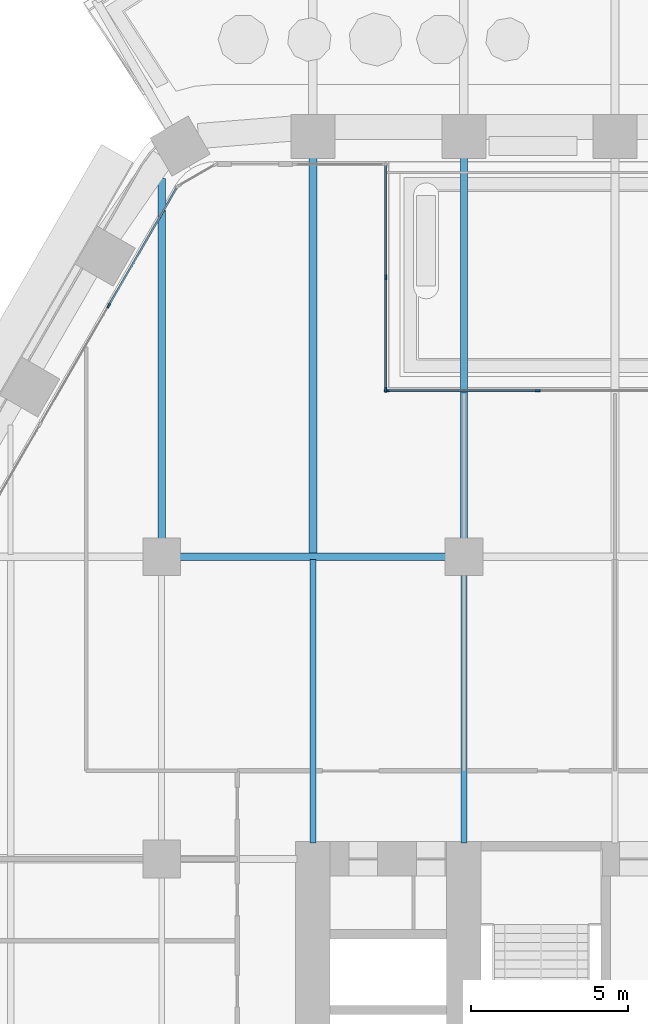
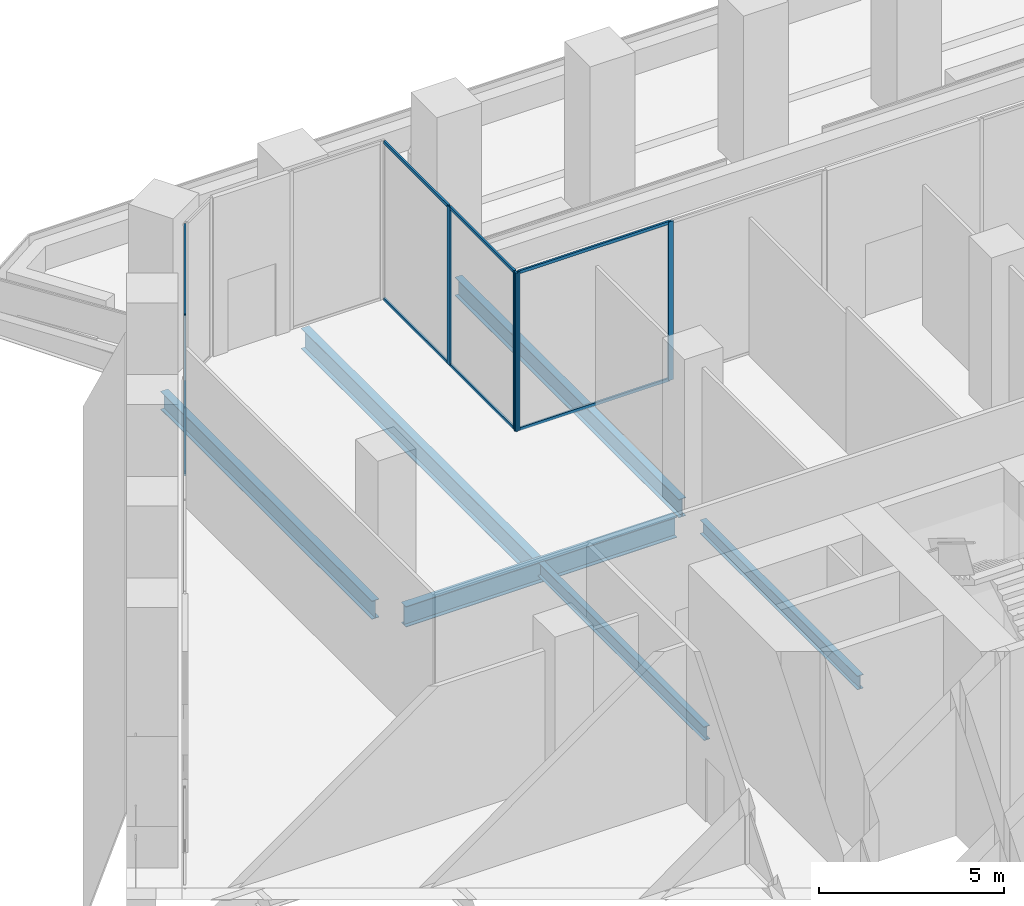
# One storey, part 8 of 30: 13 members, 6 beams, 3 elements without a shape of their own.
"""IFC4 building model written with IfcOpenShell, lengths in metres."""

from ifc_helpers import new_model, si_unit, direction, frame, origin, origin_2d, place, context, subcontext, project, spatial, rectangle, i_section, extrude, material, material_profile, profile_set, type_object, element, aggregate, save


model = new_model("IFC4")

# Units and contexts
model_context = context("Model", 3, precision=1e-05, world=origin(), true_north=direction((0.0, 1.0)))
body_context = subcontext(model_context, "Body", "Model", "MODEL_VIEW")
ifc_project = project(units=[si_unit("LENGTHUNIT", "METRE"), si_unit("AREAUNIT", "SQUARE_METRE"), si_unit("VOLUMEUNIT", "CUBIC_METRE"), si_unit("PLANEANGLEUNIT", "RADIAN"), si_unit("MASSUNIT", "GRAM", prefix="KILO")], contexts=[model_context])

# Site, building, storey
site_placement = place(None, origin())
site = spatial("IfcSite", under=ifc_project, at=site_placement, CompositionType="ELEMENT")
building_placement = place(site_placement, origin())
building = spatial("IfcBuilding", under=site, at=building_placement, Name="Kolab Exchange Tower", CompositionType="ELEMENT")
storey_placement = place(building_placement, frame((0.0, 0.0, 38.89990234375)))
storey = spatial("IfcBuildingStorey", under=building, at=storey_placement, Name="L07", CompositionType="ELEMENT", Elevation=38.89990234375)

# Beams
ifc_material_1 = material(Name="Steel S355", Category="steel")
ifc_material_profile_1 = material_profile(ifc_material_1, i_section(OverallWidth=0.18994140625, OverallDepth=0.45703125, WebThickness=0.009033203125, FlangeThickness=0.014404296875, at=origin_2d()), Name="W460X74")
ifc_profile_set_1 = profile_set([ifc_material_profile_1], Name="Steel S355")
beam_type_1 = type_object("IfcBeamType", Name="FLOOR BEAM W460X74", PredefinedType="BEAM", material=ifc_profile_set_1)
beam_1_placement = place(storey_placement, frame((-14.39990234375, 10.110107421875, -0.478515625), z_axis=(0.0, 1.0, 0.0), x_axis=(-1.0, 0.0, 0.0)))
element("IfcBeam", 1, at=beam_1_placement, inside=storey, type_object=beam_type_1, Name="beam/L07/fr/020", PredefinedType="BEAM", context=body_context, shape_type="SweptSolid", body=[
    extrude(i_section(OverallWidth=0.18994140625, OverallDepth=0.45703125, WebThickness=0.009033203125, FlangeThickness=0.014404296875, at=origin_2d()), origin(), (0.0, 0.0, 1.0), 9.0029296875),
])
beam_2_placement = place(storey_placement, frame((-9.60009765625, 10.110107421875, -0.478515625), z_axis=(0.0, 1.0, 0.0), x_axis=(-1.0, 0.0, 0.0)))
element("IfcBeam", 2, at=beam_2_placement, inside=storey, type_object=beam_type_1, Name="beam/L07/fr/024", PredefinedType="BEAM", context=body_context, shape_type="SweptSolid", body=[
    extrude(i_section(OverallWidth=0.18994140625, OverallDepth=0.45703125, WebThickness=0.009033203125, FlangeThickness=0.014404296875, at=origin_2d()), origin(), (0.0, 0.0, 1.0), 8.52978515625),
])
ifc_material_profile_2 = material_profile(ifc_material_1, i_section(OverallWidth=0.22802734375, OverallDepth=0.60791015625, WebThickness=0.01123046875, FlangeThickness=0.017333984375, at=origin_2d()), Name="W610X113")
ifc_profile_set_2 = profile_set([ifc_material_profile_2], Name="Steel S355")
beam_type_2 = type_object("IfcBeamType", Name="FLOOR BEAM W610X113", PredefinedType="BEAM", material=ifc_profile_set_2)
beam_3_placement = place(storey_placement, frame((-19.199951171875, 19.760009765625, -0.553955078125), z_axis=(0.0, 1.0, 0.0), x_axis=(-1.0, 0.0, 0.0)))
element("IfcBeam", 3, at=beam_3_placement, inside=storey, type_object=beam_type_2, Name="beam/L07/fr/017", PredefinedType="BEAM", context=body_context, shape_type="SweptSolid", body=[
    extrude(i_section(OverallWidth=0.22802734375, OverallDepth=0.60791015625, WebThickness=0.01123046875, FlangeThickness=0.017333984375, at=origin_2d()), origin(), (0.0, 0.0, 1.0), 11.45458984375),
])
beam_4_placement = place(storey_placement, frame((-9.60009765625, 19.760009765625, -0.553955078125), z_axis=(0.0, 1.0, 0.0), x_axis=(-1.0, 0.0, 0.0)))
element("IfcBeam", 4, at=beam_4_placement, inside=storey, type_object=beam_type_2, Name="beam/L07/fr/025", PredefinedType="BEAM", context=body_context, shape_type="SweptSolid", body=[
    extrude(i_section(OverallWidth=0.22802734375, OverallDepth=0.60791015625, WebThickness=0.01123046875, FlangeThickness=0.017333984375, at=origin_2d()), origin(), (0.0, 0.0, 1.0), 12.135498046875),
])
ifc_material_profile_3 = material_profile(ifc_material_1, i_section(OverallWidth=0.25390625, OverallDepth=0.68408203125, WebThickness=0.012451171875, FlangeThickness=0.018798828125, at=origin_2d()), Name="W690X140")
ifc_profile_set_3 = profile_set([ifc_material_profile_3], Name="Steel S355")
beam_type_3 = type_object("IfcBeamType", Name="FLOOR BEAM W690X140", PredefinedType="BEAM", material=ifc_profile_set_3)
beam_5_placement = place(storey_placement, frame((-14.39990234375, 19.287109375, -0.591796875), z_axis=(0.0, 1.0, 0.0), x_axis=(-1.0, 0.0, 0.0)))
element("IfcBeam", 5, at=beam_5_placement, inside=storey, type_object=beam_type_3, Name="beam/L07/fr/021", PredefinedType="BEAM", context=body_context, shape_type="SweptSolid", body=[
    extrude(i_section(OverallWidth=0.25390625, OverallDepth=0.68408203125, WebThickness=0.012451171875, FlangeThickness=0.018798828125, at=origin_2d()), origin(), (0.0, 0.0, 1.0), 12.6083984375),
])
ifc_material_profile_4 = material_profile(ifc_material_1, i_section(OverallWidth=0.25390625, OverallDepth=0.68408203125, WebThickness=0.012451171875, FlangeThickness=0.018798828125, at=origin_2d()), Name="W690X140")
ifc_profile_set_4 = profile_set([ifc_material_profile_4], Name="Steel S355")
beam_type_4 = type_object("IfcBeamType", Name="FLOOR GIRDER W690X140", PredefinedType="BEAM", material=ifc_profile_set_4)
beam_6_placement = place(storey_placement, frame((-18.639892578125, 19.199951171875, -0.591796875), z_axis=(1.0, 0.0, 0.0), x_axis=(0.0, 1.0, 0.0)))
element("IfcBeam", 6, at=beam_6_placement, inside=storey, type_object=beam_type_4, Name="beam/L07/gd/009", PredefinedType="BEAM", context=body_context, shape_type="SweptSolid", body=[
    extrude(i_section(OverallWidth=0.25390625, OverallDepth=0.68408203125, WebThickness=0.012451171875, FlangeThickness=0.018798828125, at=origin_2d()), origin(), (0.0, 0.0, 1.0), 8.47998046875),
])

# Curtain wall, members
ifc_material_2 = material(Name="Aluminium EN AW-6063 T6", Category="aluminium")
curtain_wall_type = type_object("IfcCurtainWallType", Name="UNITISED LOW ZONE CURTAIN WALL", PredefinedType="NOTDEFINED", material=ifc_material_2)
curtain_wall_1_placement = place(storey_placement, origin())
curtain_wall_1 = element("IfcCurtainWall", 7, at=curtain_wall_1_placement, inside=storey, type_object=curtain_wall_type, Name="cw/L07/F1-rl-1", PredefinedType="NOTDEFINED")
ifc_material_profile_5 = material_profile(ifc_material_2, rectangle(XDim=0.06005859375, YDim=0.159912109375, at=origin_2d()), Name="RECT 60X160")
ifc_profile_set_5 = profile_set([ifc_material_profile_5], Name="Aluminium EN AW-6063 T6")
member_type_1 = type_object("IfcMemberType", Name="UNITISED LOW ZONE MULLION 60 X 160", PredefinedType="MULLION", material=ifc_profile_set_5)
member_1_placement = place(storey_placement, frame((-12.080078125, 28.075439453125, 0.0), z_axis=(0.0, 0.0, 1.0), x_axis=(1.0, 0.0, 0.0)))
member_1 = element("IfcMember", 8, at=member_1_placement, type_object=member_type_1, Name="CW1 mullion 2", PredefinedType="MULLION", context=body_context, shape_type="SweptSolid", body=[
    extrude(rectangle(XDim=0.06005859375, YDim=0.159912109375, at=origin_2d()), origin(), (0.0, 0.0, 1.0), 5.25),
])
member_2_placement = place(storey_placement, frame((-12.080078125, 24.50537109375, 0.0), z_axis=(0.0, 0.0, 1.0), x_axis=(1.0, 0.0, 0.0)))
member_2 = element("IfcMember", 9, at=member_2_placement, type_object=member_type_1, Name="CW1 mullion 3", PredefinedType="MULLION", context=body_context, shape_type="SweptSolid", body=[
    extrude(rectangle(XDim=0.06005859375, YDim=0.159912109375, at=origin_2d()), origin(), (0.0, 0.0, 1.0), 5.25),
])

curtain_wall_2_placement = place(storey_placement, origin())
curtain_wall_2 = element("IfcCurtainWall", 10, at=curtain_wall_2_placement, inside=storey, type_object=curtain_wall_type, Name="cw/L07/F1-back-1", PredefinedType="NOTDEFINED")
member_3_placement = place(storey_placement, frame((-12.050048828125, 24.475341796875, 0.0), z_axis=(0.0, 0.0, 1.0), x_axis=(0.0, 1.0, 0.0)))
member_3 = element("IfcMember", 11, at=member_3_placement, type_object=member_type_1, Name="CW1 mullion 1", PredefinedType="MULLION", context=body_context, shape_type="SweptSolid", body=[
    extrude(rectangle(XDim=0.06005859375, YDim=0.159912109375, at=origin_2d()), origin(), (0.0, 0.0, 1.0), 5.25),
])
member_4_placement = place(storey_placement, frame((-7.248046875, 24.475341796875, 0.0), z_axis=(0.0, 0.0, 1.0), x_axis=(0.0, 1.0, 0.0)))
member_4 = element("IfcMember", 12, at=member_4_placement, type_object=member_type_1, Name="CW1 mullion 2", PredefinedType="MULLION", context=body_context, shape_type="SweptSolid", body=[
    extrude(rectangle(XDim=0.06005859375, YDim=0.159912109375, at=origin_2d()), origin(), (0.0, 0.0, 1.0), 5.25),
])

# Curtain wall, member
curtain_wall_3_placement = place(storey_placement, origin())
curtain_wall_3 = element("IfcCurtainWall", 13, at=curtain_wall_3_placement, inside=storey, type_object=curtain_wall_type, Name="cw/L07/F6-2", PredefinedType="NOTDEFINED")
member_5_placement = place(storey_placement, frame((-20.881103515625, 27.183349609375, 0.0), z_axis=(0.0, 0.0, 1.0), x_axis=(-0.866025397318, 0.5000000112, 0.0)))
member_5 = element("IfcMember", 14, at=member_5_placement, type_object=member_type_1, Name="CW1 mullion 4", PredefinedType="MULLION", context=body_context, shape_type="SweptSolid", body=[
    extrude(rectangle(XDim=0.06005859375, YDim=0.159912109375, at=origin_2d()), origin(), (0.0, 0.0, 1.0), 5.25),
])

# Member
ifc_material_profile_6 = material_profile(ifc_material_2, rectangle(XDim=0.06005859375, YDim=0.10009765625, at=origin_2d()), Name="RECT 60X100")
ifc_profile_set_6 = profile_set([ifc_material_profile_6], Name="Aluminium EN AW-6063 T6")
member_type_2 = type_object("IfcMemberType", Name="UNITISED LOW ZONE TRANSOM 60 X 100", PredefinedType="USERDEFINED", material=ifc_profile_set_6)
member_6_placement = place(storey_placement, frame((-12.080078125, 31.615478515625, 0.030029296875), z_axis=(0.0, -1.0, 0.0), x_axis=(1.0, 0.0, 0.0)))
member_6 = element("IfcMember", 15, at=member_6_placement, type_object=member_type_2, Name="CW1 transom 1.1", ObjectType="TRANSOM", PredefinedType="USERDEFINED", context=body_context, shape_type="SweptSolid", body=[
    extrude(rectangle(XDim=0.06005859375, YDim=0.10009765625, at=origin_2d()), origin(), (0.0, 0.0, 1.0), 3.510009765625),
])

member_7_placement = place(storey_placement, frame((-12.080078125, 31.615478515625, 5.22021484375), z_axis=(0.0, -1.0, 0.0), x_axis=(1.0, 0.0, 0.0)))
member_7 = element("IfcMember", 16, at=member_7_placement, type_object=member_type_2, Name="CW1 transom 1.2", ObjectType="TRANSOM", PredefinedType="USERDEFINED", context=body_context, shape_type="SweptSolid", body=[
    extrude(rectangle(XDim=0.06005859375, YDim=0.10009765625, at=origin_2d()), origin(), (0.0, 0.0, 1.0), 3.510009765625),
])

member_8_placement = place(storey_placement, frame((-12.080078125, 28.04541015625, 0.030029296875), z_axis=(0.0, -1.0, 0.0), x_axis=(1.0, 0.0, 0.0)))
member_8 = element("IfcMember", 17, at=member_8_placement, type_object=member_type_2, Name="CW1 transom 2.1", ObjectType="TRANSOM", PredefinedType="USERDEFINED", context=body_context, shape_type="SweptSolid", body=[
    extrude(rectangle(XDim=0.06005859375, YDim=0.10009765625, at=origin_2d()), origin(), (0.0, 0.0, 1.0), 3.510009765625),
])

member_9_placement = place(storey_placement, frame((-12.080078125, 28.04541015625, 5.22021484375), z_axis=(0.0, -1.0, 0.0), x_axis=(1.0, 0.0, 0.0)))
member_9 = element("IfcMember", 18, at=member_9_placement, type_object=member_type_2, Name="CW1 transom 2.2", ObjectType="TRANSOM", PredefinedType="USERDEFINED", context=body_context, shape_type="SweptSolid", body=[
    extrude(rectangle(XDim=0.06005859375, YDim=0.10009765625, at=origin_2d()), origin(), (0.0, 0.0, 1.0), 3.510009765625),
])

aggregate(curtain_wall_1, [member_1, member_2, member_6, member_7, member_8, member_9])

member_10_placement = place(storey_placement, frame((-12.02001953125, 24.475341796875, 0.030029296875), z_axis=(1.0, 0.0, 0.0), x_axis=(0.0, 1.0, 0.0)))
member_10 = element("IfcMember", 19, at=member_10_placement, type_object=member_type_2, Name="CW1 transom 1.1", ObjectType="TRANSOM", PredefinedType="USERDEFINED", context=body_context, shape_type="SweptSolid", body=[
    extrude(rectangle(XDim=0.06005859375, YDim=0.10009765625, at=origin_2d()), origin(), (0.0, 0.0, 1.0), 4.741943359375),
])

member_11_placement = place(storey_placement, frame((-12.02001953125, 24.475341796875, 5.22021484375), z_axis=(1.0, 0.0, 0.0), x_axis=(0.0, 1.0, 0.0)))
member_11 = element("IfcMember", 20, at=member_11_placement, type_object=member_type_2, Name="CW1 transom 1.2", ObjectType="TRANSOM", PredefinedType="USERDEFINED", context=body_context, shape_type="SweptSolid", body=[
    extrude(rectangle(XDim=0.06005859375, YDim=0.10009765625, at=origin_2d()), origin(), (0.0, 0.0, 1.0), 4.741943359375),
])

aggregate(curtain_wall_2, [member_3, member_4, member_10, member_11])

member_12_placement = place(storey_placement, frame((-20.8662109375, 27.20947265625, 0.030029296875), z_axis=(0.500000816281, 0.866024932504, 0.0), x_axis=(-0.866024932504, 0.500000816281, 0.0)))
member_12 = element("IfcMember", 21, at=member_12_placement, type_object=member_type_2, Name="CW1 transom 4.1", ObjectType="TRANSOM", PredefinedType="USERDEFINED", context=body_context, shape_type="SweptSolid", body=[
    extrude(rectangle(XDim=0.06005859375, YDim=0.10009765625, at=origin_2d()), origin(), (0.0, 0.0, 1.0), 4.27685546875),
])

member_13_placement = place(storey_placement, frame((-20.8662109375, 27.20947265625, 5.22021484375), z_axis=(0.500000816281, 0.866024932504, 0.0), x_axis=(-0.866024932504, 0.500000816281, 0.0)))
member_13 = element("IfcMember", 22, at=member_13_placement, type_object=member_type_2, Name="CW1 transom 4.2", ObjectType="TRANSOM", PredefinedType="USERDEFINED", context=body_context, shape_type="SweptSolid", body=[
    extrude(rectangle(XDim=0.06005859375, YDim=0.10009765625, at=origin_2d()), origin(), (0.0, 0.0, 1.0), 4.27685546875),
])

aggregate(curtain_wall_3, [member_5, member_12, member_13])

save(model, "model.ifc")
